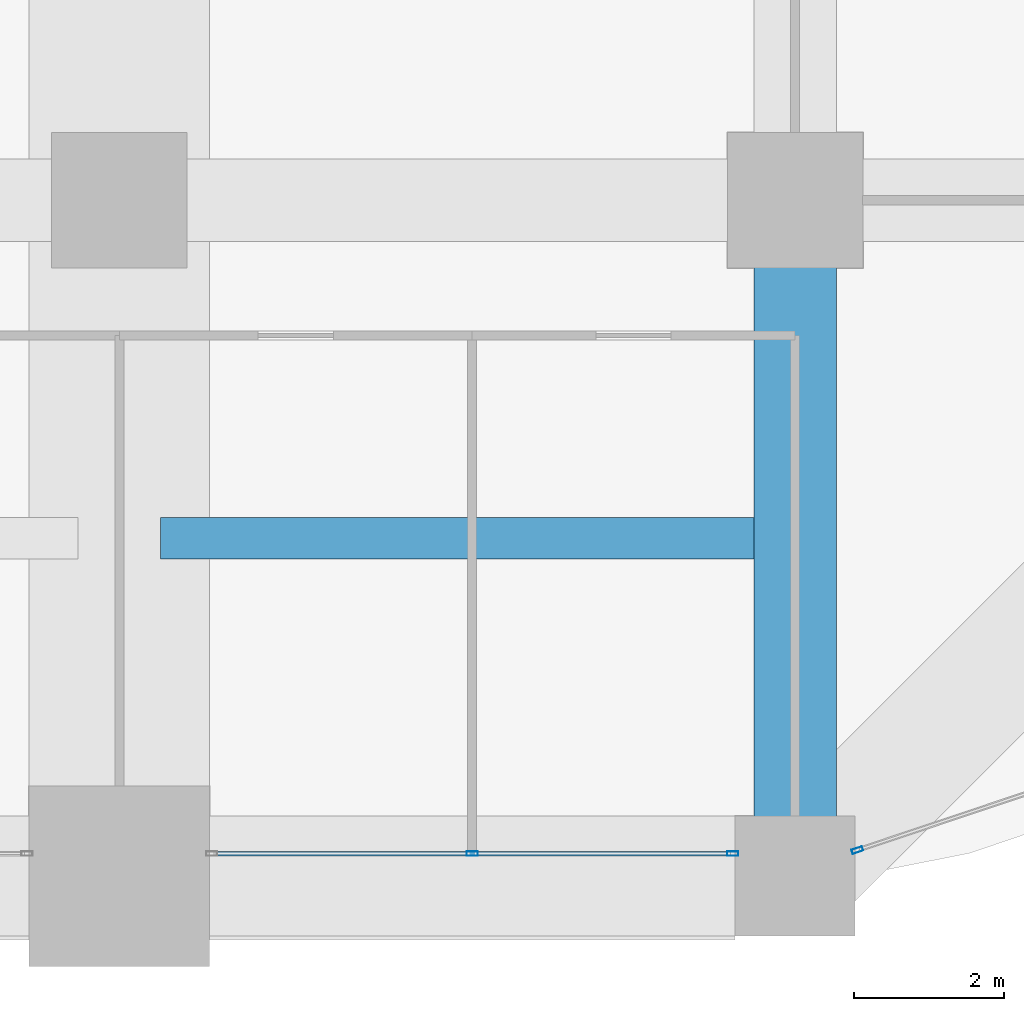
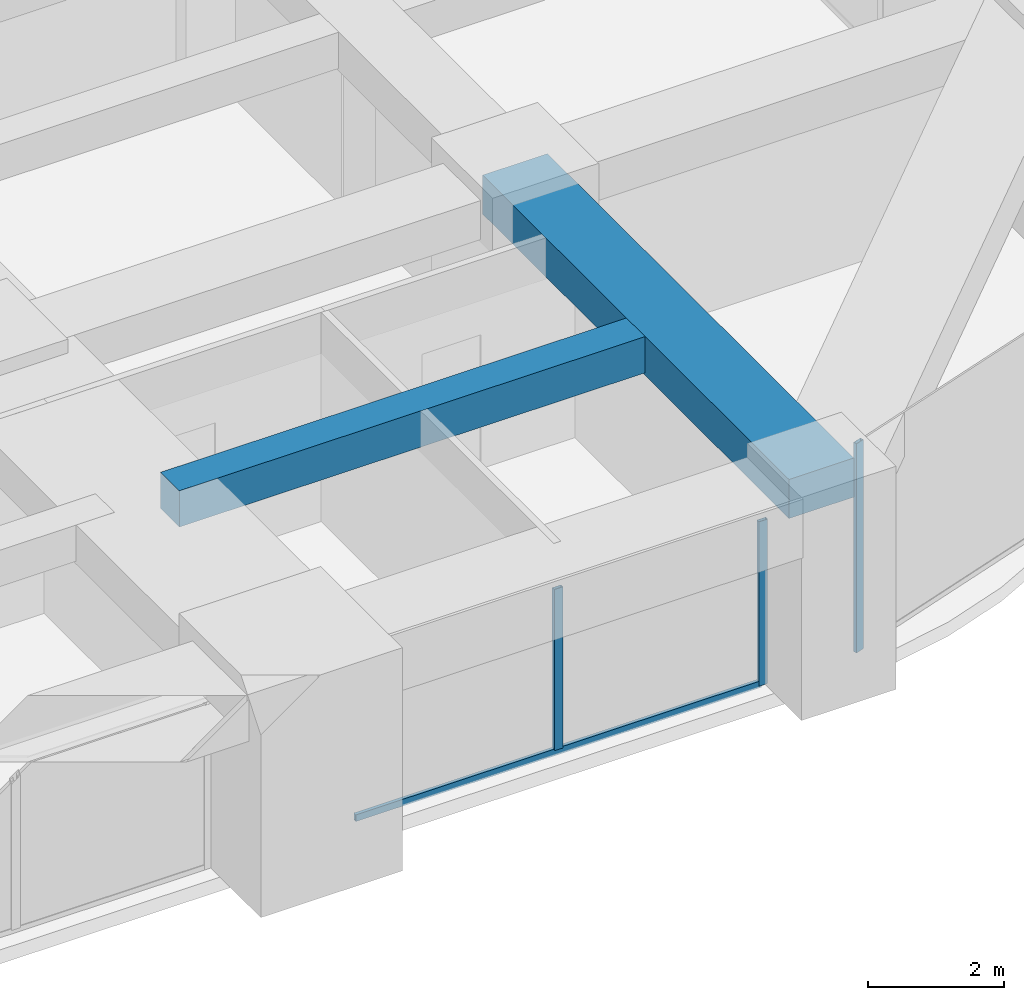
# One storey, part 16 of 43: 4 members, 2 beams, 2 elements without a shape of their own.
"""IFC4 building model written with IfcOpenShell, lengths in metres."""

from ifc_helpers import new_model, si_unit, direction, frame, origin, origin_2d, place, context, subcontext, project, spatial, rectangle, hollow_rectangle, extrude, material, material_profile, profile_set, type_object, element, aggregate, save


model = new_model("IFC4")

# Units and contexts
model_context = context("Model", 3, precision=1e-05, world=origin(), true_north=direction((0.0, 1.0)))
body_context = subcontext(model_context, "Body", "Model", "MODEL_VIEW")
ifc_project = project(units=[si_unit("LENGTHUNIT", "METRE"), si_unit("AREAUNIT", "SQUARE_METRE"), si_unit("VOLUMEUNIT", "CUBIC_METRE"), si_unit("PLANEANGLEUNIT", "RADIAN"), si_unit("MASSUNIT", "GRAM", prefix="KILO")], contexts=[model_context])

# Site, building, storey
site_placement = place(None, origin())
site = spatial("IfcSite", under=ifc_project, at=site_placement, CompositionType="ELEMENT")
building_placement = place(site_placement, origin())
building = spatial("IfcBuilding", under=site, at=building_placement, Name="Zorevar Civic Tower", CompositionType="ELEMENT")
storey_placement = place(building_placement, frame((0.0, 0.0, 145.0)))
storey = spatial("IfcBuildingStorey", under=building, at=storey_placement, Name="L35", CompositionType="ELEMENT", Elevation=145.0)

# Beams
ifc_material_1 = material(Name="Concrete C50/60", Category="concrete")
ifc_material_profile_1 = material_profile(ifc_material_1, rectangle(XDim=1.10009765625, YDim=0.699951171875, at=origin_2d()), Name="RC 1100x700")
ifc_profile_set_1 = profile_set([ifc_material_profile_1], Name="Concrete C50/60")
beam_type_1 = type_object("IfcBeamType", Name="Beam RC 1100x700", PredefinedType="BEAM", material=ifc_profile_set_1)
beam_1_placement = place(storey_placement, frame((54.0, 0.0, 3.39990234375), z_axis=(0.0, 1.0, 0.0), x_axis=(-1.0, 0.0, 0.0)))
element("IfcBeam", 1, at=beam_1_placement, inside=storey, type_object=beam_type_1, Name="Girder L36", PredefinedType="BEAM", context=body_context, shape_type="SweptSolid", body=[
    extrude(rectangle(XDim=1.10009765625, YDim=0.699951171875, at=origin_2d()), origin(), (0.0, 0.0, 1.0), 9.0),
])
ifc_material_2 = material(Name="Concrete C50/60", Category="concrete")
ifc_material_profile_2 = material_profile(ifc_material_2, rectangle(XDim=0.550048828125, YDim=0.64990234375, at=origin_2d()), Name="RC 550x650")
ifc_profile_set_2 = profile_set([ifc_material_profile_2], Name="Concrete C50/60")
beam_type_2 = type_object("IfcBeamType", Name="Beam RC 550x650", PredefinedType="BEAM", material=ifc_profile_set_2)
beam_2_placement = place(storey_placement, frame((45.550048828125, 4.5, 3.425048828125), z_axis=(1.0, 0.0, 0.0), x_axis=(0.0, 1.0, 0.0)))
element("IfcBeam", 2, at=beam_2_placement, inside=storey, type_object=beam_type_2, Name="Secondary beam L36", PredefinedType="BEAM", context=body_context, shape_type="SweptSolid", body=[
    extrude(rectangle(XDim=0.550048828125, YDim=0.64990234375, at=origin_2d()), origin(), (0.0, 0.0, 1.0), 7.89990234375),
])

# Curtain wall, members
ifc_material_3 = material(Name="Dark grey solar-control glass in black aluminium frame", Category="aluminium")
curtain_wall_type = type_object("IfcCurtainWallType", Name="Curtain wall CW3 mid zone", PredefinedType="NOTDEFINED", material=ifc_material_3)
curtain_wall_1_placement = place(storey_placement, origin())
curtain_wall_1 = element("IfcCurtainWall", 3, at=curtain_wall_1_placement, inside=storey, type_object=curtain_wall_type, Name="CW3 L35", PredefinedType="NOTDEFINED")
ifc_material_4 = material(Name="Aluminium, black anodised", Category="aluminium")
ifc_material_profile_3 = material_profile(ifc_material_4, hollow_rectangle(XDim=0.06005859375, YDim=0.14990234375, WallThickness=0.00390625, at=origin_2d()), Name="AL 150x60x4")
ifc_profile_set_3 = profile_set([ifc_material_profile_3], Name="Aluminium, black anodised")
member_type_1 = type_object("IfcMemberType", Name="CW3 mullion AL 150x60x4", PredefinedType="MULLION", material=ifc_profile_set_3)
member_1_placement = place(storey_placement, frame((49.699951171875, 0.300048828125, 0.06005859375), z_axis=(0.0, 0.0, 1.0), x_axis=(0.0, 1.0, 0.0)))
member_1 = element("IfcMember", 4, at=member_1_placement, type_object=member_type_1, Name="CW3 mullion 2", PredefinedType="MULLION", context=body_context, shape_type="SweptSolid", body=[
    extrude(hollow_rectangle(XDim=0.06005859375, YDim=0.14990234375, WallThickness=0.00390625, at=origin_2d()), origin(), (0.0, 0.0, 1.0), 2.889892578125),
])
member_2_placement = place(storey_placement, frame((53.169921875, 0.300048828125, 0.0), z_axis=(0.0, 0.0, 1.0), x_axis=(0.0, 1.0, 0.0)))
member_2 = element("IfcMember", 5, at=member_2_placement, type_object=member_type_1, Name="CW3 mullion 3", PredefinedType="MULLION", context=body_context, shape_type="SweptSolid", body=[
    extrude(hollow_rectangle(XDim=0.06005859375, YDim=0.14990234375, WallThickness=0.00390625, at=origin_2d()), origin(), (0.0, 0.0, 1.0), 2.949951171875),
])

# Curtain wall, member
curtain_wall_2_placement = place(storey_placement, origin())
curtain_wall_2 = element("IfcCurtainWall", 6, at=curtain_wall_2_placement, inside=storey, type_object=curtain_wall_type, Name="CW3 L35", PredefinedType="NOTDEFINED")
member_3_placement = place(storey_placement, frame((54.828369140625, 0.346435546875, 0.0), z_axis=(0.0, 0.0, 1.0), x_axis=(-0.317592669603, 0.948227238701, 0.0)))
member_3 = element("IfcMember", 7, at=member_3_placement, type_object=member_type_1, Name="CW3 mullion 1", PredefinedType="MULLION", context=body_context, shape_type="SweptSolid", body=[
    extrude(hollow_rectangle(XDim=0.06005859375, YDim=0.14990234375, WallThickness=0.00390625, at=origin_2d()), origin(), (0.0, 0.0, 1.0), 3.75),
])
aggregate(curtain_wall_2, [member_3])

# Member
ifc_material_5 = material(Name="Aluminium, black anodised", Category="aluminium")
ifc_material_profile_4 = material_profile(ifc_material_5, hollow_rectangle(XDim=0.06005859375, YDim=0.1201171875, WallThickness=0.0029296875, at=origin_2d()), Name="AL 120x60x3")
ifc_profile_set_4 = profile_set([ifc_material_profile_4], Name="Aluminium, black anodised")
member_type_2 = type_object("IfcMemberType", Name="CW3 transom AL 120x60x3", PredefinedType="USERDEFINED", material=ifc_profile_set_4)
member_4_placement = place(storey_placement, frame((46.260009765625, 0.300048828125, 0.030029296875), z_axis=(1.0, 0.0, 0.0), x_axis=(0.0, 1.0, 0.0)))
member_4 = element("IfcMember", 8, at=member_4_placement, type_object=member_type_2, Name="CW3 sill transom", ObjectType="TRANSOM", PredefinedType="USERDEFINED", context=body_context, shape_type="SweptSolid", body=[
    extrude(hollow_rectangle(XDim=0.06005859375, YDim=0.1201171875, WallThickness=0.0029296875, at=origin_2d()), origin(), (0.0, 0.0, 1.0), 6.8798828125),
])

aggregate(curtain_wall_1, [member_1, member_2, member_4])

save(model, "model.ifc")
